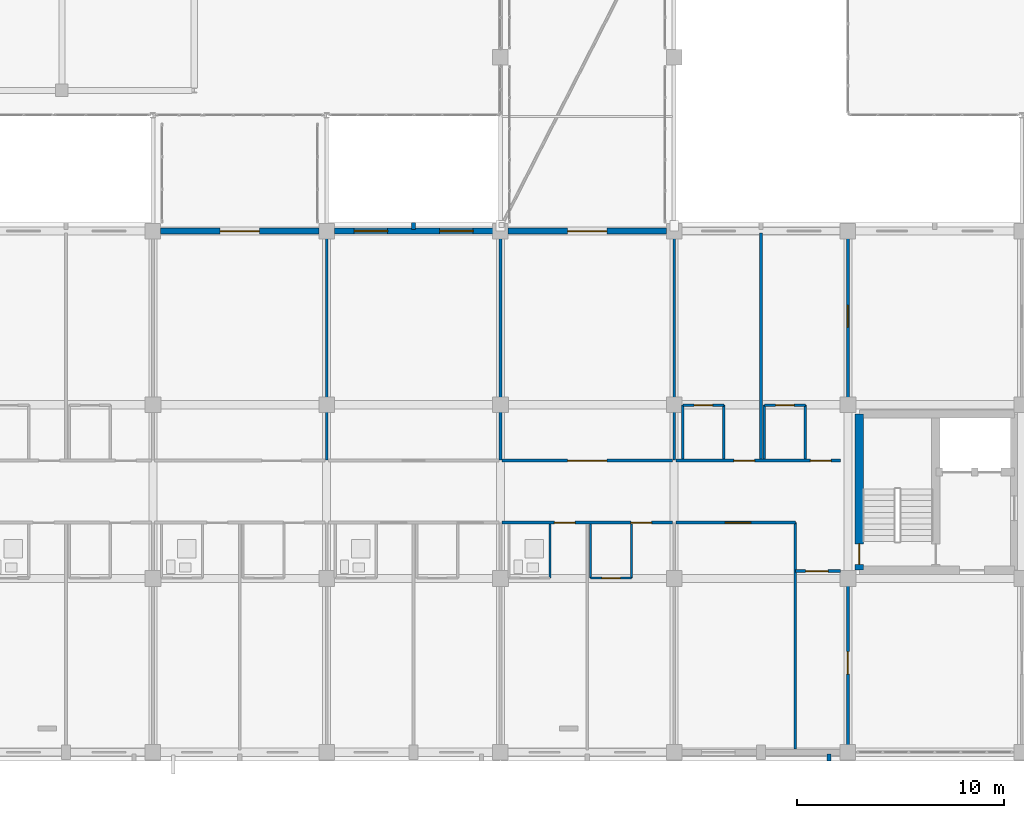
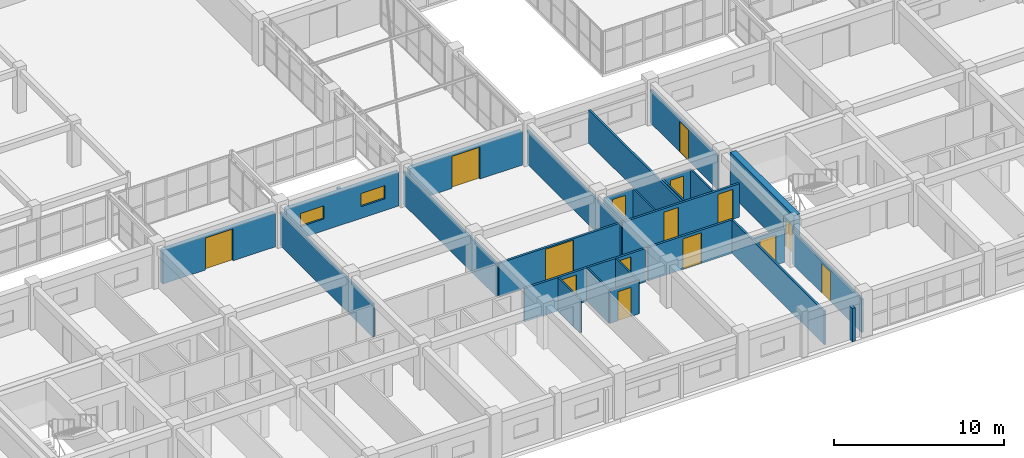
# One storey, part 168 of 200: 28 walls, 15 doors, 2 windows, 17 openings.
"""IFC4 building model written with IfcOpenShell, lengths in metres."""

from ifc_helpers import new_model, si_unit, direction, frame, frame_2d, origin, place, context, subcontext, project, spatial, rectangle, extrude, material, layer, layer_set, type_object, element, fill, save


model = new_model("IFC4")

# Units and contexts
model_context = context("Model", 3, precision=1e-05, world=origin(), true_north=direction((0.0, 1.0)))
body_context = subcontext(model_context, "Body", "Model", "MODEL_VIEW")
ifc_project = project(units=[si_unit("LENGTHUNIT", "METRE"), si_unit("AREAUNIT", "SQUARE_METRE"), si_unit("VOLUMEUNIT", "CUBIC_METRE"), si_unit("PLANEANGLEUNIT", "RADIAN"), si_unit("MASSUNIT", "GRAM", prefix="KILO")], contexts=[model_context])

# Site, building, storey
site_placement = place(None, origin())
site = spatial("IfcSite", under=ifc_project, at=site_placement, CompositionType="ELEMENT")
building_placement = place(site_placement, origin())
building = spatial("IfcBuilding", under=site, at=building_placement, Name="Trelvath General Hospital", CompositionType="ELEMENT")
storey_placement = place(building_placement, frame((0.0, 0.0, 4.800048828125)))
storey = spatial("IfcBuildingStorey", under=building, at=storey_placement, Name="L01", CompositionType="ELEMENT", Elevation=4.800048828125)

# Walls
ifc_material_1 = material(Name="Precast concrete C40/50", Category="concrete")
ifc_layer_1 = layer(ifc_material_1, 0.199951171875)
ifc_layer_set_1 = layer_set([ifc_layer_1], Name="Precast concrete C40/50")
wall_type_1 = type_object("IfcWallType", Name="BriseSoleilRib 200", PredefinedType="ELEMENTEDWALL", material=ifc_layer_set_1)
for number, where, z_axis, x_axis, name in (
    (1, (71.39990234375, 25.27490234375, 0.0), (0.0, 0.0, 1.0), (0.0, 1.0, 0.0), "Precast Concrete Brise-Soleil Rib Fin L01-106"),
    (2, (91.493896484375, -0.074951171875, 0.0), (0.0, 0.0, 1.0), (0.0, -1.0, 0.0), "Precast Concrete Brise-Soleil Rib Fin L01-111"),
):
    element("IfcWall", number, at=place(storey_placement, frame(where, z_axis=z_axis, x_axis=x_axis)), inside=storey, type_object=wall_type_1, Name=name, PredefinedType="ELEMENTEDWALL", context=body_context, shape_type="SweptSolid", body=[
        extrude(rectangle(XDim=0.340087890625, YDim=0.199951171875, at=frame_2d((0.169921875, 0.0))), origin(), (0.0, 0.0, 1.0), 2.39990234375),
    ])

# Wall, openings, doors
ifc_material_2 = material(Name="Gypsum acoustic steel-stud partition", Category="steel")
ifc_layer_2 = layer(ifc_material_2, 0.14990234375)
ifc_layer_set_2 = layer_set([ifc_layer_2], Name="Gypsum acoustic steel-stud partition")
wall_type_2 = type_object("IfcWallType", Name="ClinicalPartition 150", PredefinedType="PARTITIONING", material=ifc_layer_set_2)
wall_1_placement = place(storey_placement, frame((75.679931640625, 11.10009765625, 0.0), z_axis=(0.0, 0.0, 1.0), x_axis=(1.0, 0.0, 0.0)))
wall_1 = element("IfcWall", 3, at=wall_1_placement, inside=storey, type_object=wall_type_2, Name="Corridor Partition L01-430", PredefinedType="PARTITIONING", context=body_context, shape_type="SweptSolid", body=[
    extrude(rectangle(XDim=8.239990234375, YDim=0.14990234375, at=frame_2d((4.1201171875, 0.0))), origin(), (0.0, 0.0, 1.0), 2.39990234375),
])
opening_1_placement = place(wall_1_placement, frame((2.530029296875, 0.0, 0.0)))
opening_1 = element("IfcOpeningElement", 4, at=opening_1_placement, cuts=wall_1, Name="Opening D-1-0499", PredefinedType="OPENING", context=body_context, shape_type="SweptSolid", body=[
    extrude(rectangle(XDim=1.0, YDim=2.14990234375, at=frame_2d((0.5, 1.074951171875))), frame((0.0, 0.0849609375, 0.0), z_axis=(0.0, -1.0, 0.0), x_axis=(1.0, 0.0, 0.0)), (0.0, 0.0, 1.0), 0.169921875),
])
opening_2_placement = place(wall_1_placement, frame((6.22998046875, 0.0, 0.0)))
opening_2 = element("IfcOpeningElement", 5, at=opening_2_placement, cuts=wall_1, Name="Opening D-1-0500", PredefinedType="OPENING", context=body_context, shape_type="SweptSolid", body=[
    extrude(rectangle(XDim=1.0, YDim=2.14990234375, at=frame_2d((0.5, 1.074951171875))), frame((0.0, 0.0849609375, 0.0), z_axis=(0.0, -1.0, 0.0), x_axis=(1.0, 0.0, 0.0)), (0.0, 0.0, 1.0), 0.169921875),
])
ifc_material_3 = material(Name="Acoustic hospital timber leaf", Category="wood")
door_type_1 = type_object("IfcDoorType", Name="Door Consult 1000x2150", OperationType="NOTDEFINED", PredefinedType="DOOR", material=ifc_material_3)
door_1_placement = place(opening_1_placement, origin())
door_1 = element("IfcDoor", 6, at=door_1_placement, inside=storey, type_object=door_type_1, Name="Patient Room Door L01-499", OperationType="SINGLE_SWING_RIGHT", OverallHeight=2.14990234375, OverallWidth=1.0, PredefinedType="DOOR", context=body_context, shape_type="SweptSolid", body=[
    extrude(rectangle(XDim=1.0, YDim=2.14990234375, at=frame_2d((0.5, 1.074951171875))), frame((0.0, 0.02490234375, 0.0), z_axis=(0.0, -1.0, 0.0), x_axis=(1.0, 0.0, 0.0)), (0.0, 0.0, 1.0), 0.050048828125),
])
fill(opening_1, door_1)
door_2_placement = place(opening_2_placement, origin())
door_2 = element("IfcDoor", 7, at=door_2_placement, inside=storey, type_object=door_type_1, Name="Patient Room Door L01-500", OperationType="SINGLE_SWING_LEFT", OverallHeight=2.14990234375, OverallWidth=1.0, PredefinedType="DOOR", context=body_context, shape_type="SweptSolid", body=[
    extrude(rectangle(XDim=1.0, YDim=2.14990234375, at=frame_2d((0.5, 1.074951171875))), frame((0.0, 0.02490234375, 0.0), z_axis=(0.0, -1.0, 0.0), x_axis=(1.0, 0.0, 0.0)), (0.0, 0.0, 1.0), 0.050048828125),
])
fill(opening_2, door_2)

# Wall, opening, door
wall_2_placement = place(storey_placement, frame((83.919921875, 14.10009765625, 0.0), z_axis=(0.0, 0.0, 1.0), x_axis=(-1.0, 0.0, 0.0)))
wall_2 = element("IfcWall", 8, at=wall_2_placement, inside=storey, type_object=wall_type_2, Name="Corridor Partition N L01-439", PredefinedType="PARTITIONING", context=body_context, shape_type="SweptSolid", body=[
    extrude(rectangle(XDim=8.239990234375, YDim=0.14990234375, at=frame_2d((4.1201171875, 0.0))), origin(), (0.0, 0.0, 1.0), 2.39990234375),
])
opening_3_placement = place(wall_2_placement, frame((3.169921875, 0.0, 0.0)))
opening_3 = element("IfcOpeningElement", 9, at=opening_3_placement, cuts=wall_2, Name="Opening D-1-0503", PredefinedType="OPENING", context=body_context, shape_type="SweptSolid", body=[
    extrude(rectangle(XDim=1.89990234375, YDim=2.300048828125, at=frame_2d((0.949951171875, 1.14990234375))), frame((0.0, 0.0849609375, 0.0), z_axis=(0.0, -1.0, 0.0), x_axis=(1.0, 0.0, 0.0)), (0.0, 0.0, 1.0), 0.169921875),
])
ifc_material_4 = material(Name="Thermally broken glazed aluminium pair", Category="aluminium")
door_type_2 = type_object("IfcDoorType", Name="Door BridgeEntry 1900x2400", OperationType="DOUBLE_SWING_LEFT", PredefinedType="DOOR", material=ifc_material_4)
door_3_placement = place(opening_3_placement, origin())
door_3 = element("IfcDoor", 10, at=door_3_placement, inside=storey, type_object=door_type_2, Name="Bridge Lounge Corridor Door N L01-503", OperationType="DOUBLE_SWING_LEFT", OverallHeight=2.300048828125, OverallWidth=1.89990234375, PredefinedType="DOOR", context=body_context, shape_type="SweptSolid", body=[
    extrude(rectangle(XDim=1.89990234375, YDim=2.300048828125, at=frame_2d((0.949951171875, 1.14990234375))), frame((0.0, 0.02490234375, 0.0), z_axis=(0.0, -1.0, 0.0), x_axis=(1.0, 0.0, 0.0)), (0.0, 0.0, 1.0), 0.050048828125),
])
fill(opening_3, door_3)

wall_3_placement = place(storey_placement, frame((84.080078125, 11.10009765625, 0.0), z_axis=(0.0, 0.0, 1.0), x_axis=(1.0, 0.0, 0.0)))
wall_3 = element("IfcWall", 11, at=wall_3_placement, inside=storey, type_object=wall_type_2, Name="Nurse Station Partition L01-442", PredefinedType="PARTITIONING", context=body_context, shape_type="SweptSolid", body=[
    extrude(rectangle(XDim=5.780029296875, YDim=0.14990234375, at=frame_2d((2.89013671875, 0.0))), origin(), (0.0, 0.0, 1.0), 2.39990234375),
])
opening_4_placement = place(wall_3_placement, frame((2.3798828125, 0.0, 0.0)))
opening_4 = element("IfcOpeningElement", 12, at=opening_4_placement, cuts=wall_3, Name="Opening D-1-0504", PredefinedType="OPENING", context=body_context, shape_type="SweptSolid", body=[
    extrude(rectangle(XDim=1.25, YDim=2.199951171875, at=frame_2d((0.625, 1.10009765625))), frame((0.0, 0.0849609375, 0.0), z_axis=(0.0, -1.0, 0.0), x_axis=(1.0, 0.0, 0.0)), (0.0, 0.0, 1.0), 0.169921875),
])
ifc_material_5 = material(Name="Acoustic hospital timber leaf", Category="wood")
door_type_3 = type_object("IfcDoorType", Name="Door Treatment 1250x2200", OperationType="NOTDEFINED", PredefinedType="DOOR", material=ifc_material_5)
door_4_placement = place(opening_4_placement, origin())
door_4 = element("IfcDoor", 13, at=door_4_placement, inside=storey, type_object=door_type_3, Name="Nurse Station Door L01-504", OperationType="SINGLE_SWING_RIGHT", OverallHeight=2.199951171875, OverallWidth=1.25, PredefinedType="DOOR", context=body_context, shape_type="SweptSolid", body=[
    extrude(rectangle(XDim=1.25, YDim=2.199951171875, at=frame_2d((0.625, 1.10009765625))), frame((0.0, 0.02490234375, 0.0), z_axis=(0.0, -1.0, 0.0), x_axis=(1.0, 0.0, 0.0)), (0.0, 0.0, 1.0), 0.050048828125),
])
fill(opening_4, door_4)

wall_4_placement = place(storey_placement, frame((89.860107421875, 8.760009765625, 0.0), z_axis=(0.0, 0.0, 1.0), x_axis=(1.0, 0.0, 0.0)))
wall_4 = element("IfcWall", 14, at=wall_4_placement, inside=storey, type_object=wall_type_2, Name="Clean Utility Partition L01-444", PredefinedType="PARTITIONING", context=body_context, shape_type="SweptSolid", body=[
    extrude(rectangle(XDim=2.179931640625, YDim=0.14990234375, at=frame_2d((1.08984375, 0.0))), origin(), (0.0, 0.0, 1.0), 2.39990234375),
])
opening_5_placement = place(wall_4_placement, frame((0.5, 0.0, 0.0)))
opening_5 = element("IfcOpeningElement", 15, at=opening_5_placement, cuts=wall_4, Name="Opening D-1-0505", PredefinedType="OPENING", context=body_context, shape_type="SweptSolid", body=[
    extrude(rectangle(XDim=1.080078125, YDim=2.14990234375, at=frame_2d((0.5400390625, 1.074951171875))), frame((0.0, 0.0849609375, 0.0), z_axis=(0.0, -1.0, 0.0), x_axis=(1.0, 0.0, 0.0)), (0.0, 0.0, 1.0), 0.169921875),
])
ifc_material_6 = material(Name="Acoustic hospital timber leaf", Category="wood")
door_type_4 = type_object("IfcDoorType", Name="Door CleanSupply 1080x2150", OperationType="NOTDEFINED", PredefinedType="DOOR", material=ifc_material_6)
door_5_placement = place(opening_5_placement, origin())
door_5 = element("IfcDoor", 16, at=door_5_placement, inside=storey, type_object=door_type_4, Name="Clean Utility Door L01-505", OperationType="SINGLE_SWING_LEFT", OverallHeight=2.14990234375, OverallWidth=1.080078125, PredefinedType="DOOR", context=body_context, shape_type="SweptSolid", body=[
    extrude(rectangle(XDim=1.080078125, YDim=2.14990234375, at=frame_2d((0.5400390625, 1.074951171875))), frame((0.0, 0.02490234375, 0.0), z_axis=(0.0, -1.0, 0.0), x_axis=(1.0, 0.0, 0.0)), (0.0, 0.0, 1.0), 0.050048828125),
])
fill(opening_5, door_5)

# Wall, openings, doors
wall_5_placement = place(storey_placement, frame((92.0400390625, 14.10009765625, 0.0), z_axis=(0.0, 0.0, 1.0), x_axis=(-1.0, 0.0, 0.0)))
wall_5 = element("IfcWall", 17, at=wall_5_placement, inside=storey, type_object=wall_type_2, Name="Corridor Partition N L01-445", PredefinedType="PARTITIONING", context=body_context, shape_type="SweptSolid", body=[
    extrude(rectangle(XDim=7.9599609375, YDim=0.14990234375, at=frame_2d((3.97998046875, 0.0))), origin(), (0.0, 0.0, 1.0), 2.39990234375),
])
opening_6_placement = place(wall_5_placement, frame((0.449951171875, 0.0, 0.0)))
opening_6 = element("IfcOpeningElement", 18, at=opening_6_placement, cuts=wall_5, Name="Opening D-1-0506", PredefinedType="OPENING", context=body_context, shape_type="SweptSolid", body=[
    extrude(rectangle(XDim=1.0, YDim=2.14990234375, at=frame_2d((0.5, 1.074951171875))), frame((0.0, 0.0849609375, 0.0), z_axis=(0.0, -1.0, 0.0), x_axis=(1.0, 0.0, 0.0)), (0.0, 0.0, 1.0), 0.169921875),
])
opening_7_placement = place(wall_5_placement, frame((4.14990234375, 0.0, 0.0)))
opening_7 = element("IfcOpeningElement", 19, at=opening_7_placement, cuts=wall_5, Name="Opening D-1-0507", PredefinedType="OPENING", context=body_context, shape_type="SweptSolid", body=[
    extrude(rectangle(XDim=1.0, YDim=2.14990234375, at=frame_2d((0.5, 1.074951171875))), frame((0.0, 0.0849609375, 0.0), z_axis=(0.0, -1.0, 0.0), x_axis=(1.0, 0.0, 0.0)), (0.0, 0.0, 1.0), 0.169921875),
])
door_6_placement = place(opening_6_placement, origin())
door_6 = element("IfcDoor", 20, at=door_6_placement, inside=storey, type_object=door_type_1, Name="Patient Room Door N L01-506", OperationType="SINGLE_SWING_RIGHT", OverallHeight=2.14990234375, OverallWidth=1.0, PredefinedType="DOOR", context=body_context, shape_type="SweptSolid", body=[
    extrude(rectangle(XDim=1.0, YDim=2.14990234375, at=frame_2d((0.5, 1.074951171875))), frame((0.0, 0.02490234375, 0.0), z_axis=(0.0, -1.0, 0.0), x_axis=(1.0, 0.0, 0.0)), (0.0, 0.0, 1.0), 0.050048828125),
])
fill(opening_6, door_6)
door_7_placement = place(opening_7_placement, origin())
door_7 = element("IfcDoor", 21, at=door_7_placement, inside=storey, type_object=door_type_1, Name="Patient Room Door N L01-507", OperationType="SINGLE_SWING_RIGHT", OverallHeight=2.14990234375, OverallWidth=1.0, PredefinedType="DOOR", context=body_context, shape_type="SweptSolid", body=[
    extrude(rectangle(XDim=1.0, YDim=2.14990234375, at=frame_2d((0.5, 1.074951171875))), frame((0.0, 0.02490234375, 0.0), z_axis=(0.0, -1.0, 0.0), x_axis=(1.0, 0.0, 0.0)), (0.0, 0.0, 1.0), 0.050048828125),
])
fill(opening_7, door_7)

# Wall, opening, door
ifc_material_7 = material(Name="Concrete C40/50", Category="concrete")
ifc_layer_3 = layer(ifc_material_7, 0.39990234375)
ifc_layer_set_3 = layer_set([ifc_layer_3], Name="Concrete C40/50")
wall_type_3 = type_object("IfcWallType", Name="CoreShearWall 400", PredefinedType="SHEAR", material=ifc_layer_set_3)
wall_6_placement = place(storey_placement, frame((92.949951171875, 8.800048828125, 0.0), z_axis=(0.0, 0.0, 1.0), x_axis=(0.0, 1.0, 0.0)))
wall_6 = element("IfcWall", 22, at=wall_6_placement, inside=storey, type_object=wall_type_3, Name="Core Shear Wall C5 W L01", PredefinedType="SHEAR", context=body_context, shape_type="SweptSolid", body=[
    extrude(rectangle(XDim=7.550048828125, YDim=0.39990234375, at=frame_2d((3.77490234375, 0.0))), origin(), (0.0, 0.0, 1.0), 3.02001953125),
])
opening_8_placement = place(wall_6_placement, frame((0.280029296875, 0.0, 0.0)))
opening_8 = element("IfcOpeningElement", 23, at=opening_8_placement, cuts=wall_6, Name="Opening FD-SW51", PredefinedType="OPENING", context=body_context, shape_type="SweptSolid", body=[
    extrude(rectangle(XDim=1.0, YDim=2.14990234375, at=frame_2d((0.5, 1.074951171875))), frame((0.0, 0.2099609375, 0.0), z_axis=(0.0, -1.0, 0.0), x_axis=(1.0, 0.0, 0.0)), (0.0, 0.0, 1.0), 0.419921875),
])
ifc_material_8 = material(Name="Fire-rated steel door", Category="steel")
door_type_5 = type_object("IfcDoorType", Name="Door FireStair 1100x2150", OperationType="NOTDEFINED", PredefinedType="DOOR", material=ifc_material_8)
door_8_placement = place(opening_8_placement, origin())
door_8 = element("IfcDoor", 24, at=door_8_placement, inside=storey, type_object=door_type_5, Name="West Corridor Stair Door ST5 L01", OperationType="SINGLE_SWING_RIGHT", OverallHeight=2.14990234375, OverallWidth=1.0, PredefinedType="DOOR", context=body_context, shape_type="SweptSolid", body=[
    extrude(rectangle(XDim=1.0, YDim=2.14990234375, at=frame_2d((0.5, 1.074951171875))), frame((0.0, 0.02490234375, 0.0), z_axis=(0.0, -1.0, 0.0), x_axis=(1.0, 0.0, 0.0)), (0.0, 0.0, 1.0), 0.050048828125),
])
fill(opening_8, door_8)

# Walls
ifc_material_9 = material(Name="Moisture-resistant tile partition")
ifc_layer_4 = layer(ifc_material_9, 0.110107421875)
ifc_layer_set_4 = layer_set([ifc_layer_4], Name="Moisture-resistant tile partition")
wall_type_4 = type_object("IfcWallType", Name="EnSuiteWetWall 110", PredefinedType="PARTITIONING", material=ifc_layer_set_4)
for number, where, z_axis, x_axis, name in (
    (25, (78.0, 8.419921875, 0.0), (0.0, 0.0, 1.0), (0.0, 1.0, 0.0), "En-Suite E Wall L01-433"),
    (26, (79.9599609375, 8.419921875, 0.0), (0.0, 0.0, 1.0), (0.0, 1.0, 0.0), "En-Suite W Wall L01-435"),
    (27, (81.93994140625, 8.419921875, 0.0), (0.0, 0.0, 1.0), (0.0, 1.0, 0.0), "En-Suite E Wall L01-436"),
):
    element("IfcWall", number, at=place(storey_placement, frame(where, z_axis=z_axis, x_axis=x_axis)), inside=storey, type_object=wall_type_4, Name=name, PredefinedType="PARTITIONING", context=body_context, shape_type="SweptSolid", body=[
        extrude(rectangle(XDim=2.610107421875, YDim=0.110107421875, at=frame_2d((1.30517578125, 0.0))), origin(), (0.0, 0.0, 1.0), 2.39990234375),
    ])

# Wall, opening, door
wall_7_placement = place(storey_placement, frame((79.9599609375, 8.419921875, 0.0), z_axis=(0.0, 0.0, 1.0), x_axis=(1.0, 0.0, 0.0)))
wall_7 = element("IfcWall", 28, at=wall_7_placement, inside=storey, type_object=wall_type_4, Name="En-Suite Bathroom Partition L01-437", PredefinedType="PARTITIONING", context=body_context, shape_type="SweptSolid", body=[
    extrude(rectangle(XDim=1.97998046875, YDim=0.110107421875, at=frame_2d((0.989990234375, 0.0))), origin(), (0.0, 0.0, 1.0), 2.39990234375),
])
opening_9_placement = place(wall_7_placement, frame((0.5400390625, 0.0, 0.0)))
opening_9 = element("IfcOpeningElement", 29, at=opening_9_placement, cuts=wall_7, Name="Opening D-1-0502", PredefinedType="OPENING", context=body_context, shape_type="SweptSolid", body=[
    extrude(rectangle(XDim=0.89990234375, YDim=2.10009765625, at=frame_2d((0.449951171875, 1.050048828125))), frame((0.0, 0.06494140625, 0.0), z_axis=(0.0, -1.0, 0.0), x_axis=(1.0, 0.0, 0.0)), (0.0, 0.0, 1.0), 0.130126953125),
])
ifc_material_10 = material(Name="Moisture-sealed timber leaf", Category="wood")
door_type_6 = type_object("IfcDoorType", Name="Door EnSuite 900x2100", OperationType="NOTDEFINED", PredefinedType="DOOR", material=ifc_material_10)
door_9_placement = place(opening_9_placement, origin())
door_9 = element("IfcDoor", 30, at=door_9_placement, inside=storey, type_object=door_type_6, Name="En-Suite Bathroom Door L01-502", OperationType="SINGLE_SWING_LEFT", OverallHeight=2.10009765625, OverallWidth=0.89990234375, PredefinedType="DOOR", context=body_context, shape_type="SweptSolid", body=[
    extrude(rectangle(XDim=0.89990234375, YDim=2.10009765625, at=frame_2d((0.449951171875, 1.050048828125))), frame((0.0, 0.02490234375, 0.0), z_axis=(0.0, -1.0, 0.0), x_axis=(1.0, 0.0, 0.0)), (0.0, 0.0, 1.0), 0.050048828125),
])
fill(opening_9, door_9)

# Walls
for number, where, z_axis, x_axis, name in (
    (31, (84.419921875, 14.169921875, 0.0), (0.0, 0.0, 1.0), (0.0, 1.0, 0.0), "En-Suite W Wall N L01-447"),
    (32, (86.39990234375, 14.169921875, 0.0), (0.0, 0.0, 1.0), (0.0, 1.0, 0.0), "En-Suite E Wall N L01-448"),
):
    element("IfcWall", number, at=place(storey_placement, frame(where, z_axis=z_axis, x_axis=x_axis)), inside=storey, type_object=wall_type_4, Name=name, PredefinedType="PARTITIONING", context=body_context, shape_type="SweptSolid", body=[
        extrude(rectangle(XDim=2.610107421875, YDim=0.110107421875, at=frame_2d((1.30517578125, 0.0))), origin(), (0.0, 0.0, 1.0), 2.39990234375),
    ])

# Wall, opening, door
wall_8_placement = place(storey_placement, frame((84.419921875, 16.780029296875, 0.0), z_axis=(0.0, 0.0, 1.0), x_axis=(1.0, 0.0, 0.0)))
wall_8 = element("IfcWall", 33, at=wall_8_placement, inside=storey, type_object=wall_type_4, Name="En-Suite Bathroom N Partition L01-449", PredefinedType="PARTITIONING", context=body_context, shape_type="SweptSolid", body=[
    extrude(rectangle(XDim=1.97998046875, YDim=0.110107421875, at=frame_2d((0.989990234375, 0.0))), origin(), (0.0, 0.0, 1.0), 2.39990234375),
])
opening_10_placement = place(wall_8_placement, frame((0.5400390625, 0.0, 0.0)))
opening_10 = element("IfcOpeningElement", 34, at=opening_10_placement, cuts=wall_8, Name="Opening D-1-0508", PredefinedType="OPENING", context=body_context, shape_type="SweptSolid", body=[
    extrude(rectangle(XDim=0.89990234375, YDim=2.10009765625, at=frame_2d((0.449951171875, 1.050048828125))), frame((0.0, 0.06494140625, 0.0), z_axis=(0.0, -1.0, 0.0), x_axis=(1.0, 0.0, 0.0)), (0.0, 0.0, 1.0), 0.130126953125),
])
door_10_placement = place(opening_10_placement, origin())
door_10 = element("IfcDoor", 35, at=door_10_placement, inside=storey, type_object=door_type_6, Name="En-Suite Bathroom N Door L01-508", OperationType="SINGLE_SWING_LEFT", OverallHeight=2.10009765625, OverallWidth=0.89990234375, PredefinedType="DOOR", context=body_context, shape_type="SweptSolid", body=[
    extrude(rectangle(XDim=0.89990234375, YDim=2.10009765625, at=frame_2d((0.449951171875, 1.050048828125))), frame((0.0, 0.02490234375, 0.0), z_axis=(0.0, -1.0, 0.0), x_axis=(1.0, 0.0, 0.0)), (0.0, 0.0, 1.0), 0.050048828125),
])
fill(opening_10, door_10)

# Walls
for number, where, z_axis, x_axis, name in (
    (36, (88.360107421875, 14.169921875, 0.0), (0.0, 0.0, 1.0), (0.0, 1.0, 0.0), "En-Suite W Wall N L01-450"),
    (37, (90.340087890625, 14.169921875, 0.0), (0.0, 0.0, 1.0), (0.0, 1.0, 0.0), "En-Suite E Wall N L01-451"),
):
    element("IfcWall", number, at=place(storey_placement, frame(where, z_axis=z_axis, x_axis=x_axis)), inside=storey, type_object=wall_type_4, Name=name, PredefinedType="PARTITIONING", context=body_context, shape_type="SweptSolid", body=[
        extrude(rectangle(XDim=2.610107421875, YDim=0.110107421875, at=frame_2d((1.30517578125, 0.0))), origin(), (0.0, 0.0, 1.0), 2.39990234375),
    ])

# Wall, opening, door
wall_9_placement = place(storey_placement, frame((88.360107421875, 16.780029296875, 0.0), z_axis=(0.0, 0.0, 1.0), x_axis=(1.0, 0.0, 0.0)))
wall_9 = element("IfcWall", 38, at=wall_9_placement, inside=storey, type_object=wall_type_4, Name="En-Suite Bathroom N Partition L01-452", PredefinedType="PARTITIONING", context=body_context, shape_type="SweptSolid", body=[
    extrude(rectangle(XDim=1.97998046875, YDim=0.110107421875, at=frame_2d((0.989990234375, 0.0))), origin(), (0.0, 0.0, 1.0), 2.39990234375),
])
opening_11_placement = place(wall_9_placement, frame((0.5400390625, 0.0, 0.0)))
opening_11 = element("IfcOpeningElement", 39, at=opening_11_placement, cuts=wall_9, Name="Opening D-1-0509", PredefinedType="OPENING", context=body_context, shape_type="SweptSolid", body=[
    extrude(rectangle(XDim=0.89990234375, YDim=2.10009765625, at=frame_2d((0.449951171875, 1.050048828125))), frame((0.0, 0.06494140625, 0.0), z_axis=(0.0, -1.0, 0.0), x_axis=(1.0, 0.0, 0.0)), (0.0, 0.0, 1.0), 0.130126953125),
])
door_11_placement = place(opening_11_placement, origin())
door_11 = element("IfcDoor", 40, at=door_11_placement, inside=storey, type_object=door_type_6, Name="En-Suite Bathroom N Door L01-509", OperationType="SINGLE_SWING_RIGHT", OverallHeight=2.10009765625, OverallWidth=0.89990234375, PredefinedType="DOOR", context=body_context, shape_type="SweptSolid", body=[
    extrude(rectangle(XDim=0.89990234375, YDim=2.10009765625, at=frame_2d((0.449951171875, 1.050048828125))), frame((0.0, 0.02490234375, 0.0), z_axis=(0.0, -1.0, 0.0), x_axis=(1.0, 0.0, 0.0)), (0.0, 0.0, 1.0), 0.050048828125),
])
fill(opening_11, door_11)

ifc_material_11 = material(Name="Concrete C35/45", Category="concrete")
ifc_layer_5 = layer(ifc_material_11, 0.2900390625)
ifc_layer_set_5 = layer_set([ifc_layer_5], Name="Concrete C35/45")
wall_type_5 = type_object("IfcWallType", Name="ExtBushHammeredWall 290", PredefinedType="SOLIDWALL", material=ifc_layer_set_5)
wall_10_placement = place(storey_placement, frame((59.169921875, 25.199951171875, 0.0), z_axis=(0.0, 0.0, 1.0), x_axis=(1.0, 0.0, 0.0)))
wall_10 = element("IfcWall", 41, at=wall_10_placement, inside=storey, type_object=wall_type_5, Name="Bridge Portal Wall BRG-S-W L01", PredefinedType="SOLIDWALL", context=body_context, shape_type="SweptSolid", body=[
    extrude(rectangle(XDim=7.66015625, YDim=0.2900390625, at=frame_2d((3.830078125, 0.0))), origin(), (0.0, 0.0, 1.0), 2.419921875),
])
opening_12_placement = place(wall_10_placement, frame((2.8798828125, 0.0, 0.0)))
opening_12 = element("IfcOpeningElement", 42, at=opening_12_placement, cuts=wall_10, Name="Opening BP-1-032", PredefinedType="OPENING", context=body_context, shape_type="SweptSolid", body=[
    extrude(rectangle(XDim=1.89990234375, YDim=2.300048828125, at=frame_2d((0.949951171875, 1.14990234375))), frame((0.0, 0.155029296875, 0.0), z_axis=(0.0, -1.0, 0.0), x_axis=(1.0, 0.0, 0.0)), (0.0, 0.0, 1.0), 0.31005859375),
])
door_12_placement = place(opening_12_placement, origin())
door_12 = element("IfcDoor", 43, at=door_12_placement, inside=storey, type_object=door_type_2, Name="Glazed Bridge Portal Door BRG-S-W L01", OperationType="DOUBLE_SWING_LEFT", OverallHeight=2.300048828125, OverallWidth=1.89990234375, PredefinedType="DOOR", context=body_context, shape_type="SweptSolid", body=[
    extrude(rectangle(XDim=1.89990234375, YDim=2.300048828125, at=frame_2d((0.949951171875, 1.14990234375))), frame((0.0, 0.02490234375, 0.0), z_axis=(0.0, -1.0, 0.0), x_axis=(1.0, 0.0, 0.0)), (0.0, 0.0, 1.0), 0.050048828125),
])
fill(opening_12, door_12)

# Wall, openings, windows
wall_11_placement = place(storey_placement, frame((67.570068359375, 25.199951171875, 0.0), z_axis=(0.0, 0.0, 1.0), x_axis=(1.0, 0.0, 0.0)))
wall_11 = element("IfcWall", 44, at=wall_11_placement, inside=storey, type_object=wall_type_5, Name="Exterior Concrete Wall L01-151", PredefinedType="SOLIDWALL", context=body_context, shape_type="SweptSolid", body=[
    extrude(rectangle(XDim=7.659912109375, YDim=0.2900390625, at=frame_2d((3.830078125, 0.0))), origin(), (0.0, 0.0, 1.0), 2.419921875),
])
opening_13_placement = place(wall_11_placement, frame((0.951904296875, 0.0, 0.85009765625)))
opening_13 = element("IfcOpeningElement", 45, at=opening_13_placement, cuts=wall_11, Name="Opening WN-1-227", PredefinedType="OPENING", context=body_context, shape_type="SweptSolid", body=[
    extrude(rectangle(XDim=1.6201171875, YDim=0.949951171875, at=frame_2d((0.81005859375, 0.47509765625))), frame((0.0, 0.155029296875, 0.0), z_axis=(0.0, -1.0, 0.0), x_axis=(1.0, 0.0, 0.0)), (0.0, 0.0, 1.0), 0.31005859375),
])
opening_14_placement = place(wall_11_placement, frame((5.088134765625, 0.0, 0.85009765625)))
opening_14 = element("IfcOpeningElement", 46, at=opening_14_placement, cuts=wall_11, Name="Opening WN-1-228", PredefinedType="OPENING", context=body_context, shape_type="SweptSolid", body=[
    extrude(rectangle(XDim=1.6201171875, YDim=0.949951171875, at=frame_2d((0.81005859375, 0.47509765625))), frame((0.0, 0.155029296875, 0.0), z_axis=(0.0, -1.0, 0.0), x_axis=(1.0, 0.0, 0.0)), (0.0, 0.0, 1.0), 0.31005859375),
])
ifc_material_12 = material(Name="Low-E laminated glass", Category="glass")
window_type = type_object("IfcWindowType", Name="Window EmergencyClere 1620x950", PartitioningType="DOUBLE_PANEL_VERTICAL", PredefinedType="WINDOW", material=ifc_material_12)
window_1_placement = place(opening_13_placement, origin())
window_1 = element("IfcWindow", 47, at=window_1_placement, inside=storey, type_object=window_type, Name="Solar Reveal Window L01-227", OverallHeight=0.949951171875, OverallWidth=1.6201171875, PartitioningType="SINGLE_PANEL", PredefinedType="WINDOW", context=body_context, shape_type="SweptSolid", body=[
    extrude(rectangle(XDim=1.6201171875, YDim=0.949951171875, at=frame_2d((0.81005859375, 0.47509765625))), frame((0.0, 0.030029296875, 0.0), z_axis=(0.0, -1.0, 0.0), x_axis=(1.0, 0.0, 0.0)), (0.0, 0.0, 1.0), 0.06005859375),
])
fill(opening_13, window_1)
window_2_placement = place(opening_14_placement, origin())
window_2 = element("IfcWindow", 48, at=window_2_placement, inside=storey, type_object=window_type, Name="Solar Reveal Window L01-228", OverallHeight=0.949951171875, OverallWidth=1.6201171875, PartitioningType="SINGLE_PANEL", PredefinedType="WINDOW", context=body_context, shape_type="SweptSolid", body=[
    extrude(rectangle(XDim=1.6201171875, YDim=0.949951171875, at=frame_2d((0.81005859375, 0.47509765625))), frame((0.0, 0.030029296875, 0.0), z_axis=(0.0, -1.0, 0.0), x_axis=(1.0, 0.0, 0.0)), (0.0, 0.0, 1.0), 0.06005859375),
])
fill(opening_14, window_2)

# Wall, opening, door
wall_12_placement = place(storey_placement, frame((75.969970703125, 25.199951171875, 0.0), z_axis=(0.0, 0.0, 1.0), x_axis=(1.0, 0.0, 0.0)))
wall_12 = element("IfcWall", 49, at=wall_12_placement, inside=storey, type_object=wall_type_5, Name="Bridge Portal Wall BRG-S-C L01", PredefinedType="SOLIDWALL", context=body_context, shape_type="SweptSolid", body=[
    extrude(rectangle(XDim=7.659912109375, YDim=0.2900390625, at=frame_2d((3.830078125, 0.0))), origin(), (0.0, 0.0, 1.0), 2.419921875),
])
opening_15_placement = place(wall_12_placement, frame((2.8798828125, 0.0, 0.0)))
opening_15 = element("IfcOpeningElement", 50, at=opening_15_placement, cuts=wall_12, Name="Opening BP-1-034", PredefinedType="OPENING", context=body_context, shape_type="SweptSolid", body=[
    extrude(rectangle(XDim=1.89990234375, YDim=2.300048828125, at=frame_2d((0.949951171875, 1.14990234375))), frame((0.0, 0.155029296875, 0.0), z_axis=(0.0, -1.0, 0.0), x_axis=(1.0, 0.0, 0.0)), (0.0, 0.0, 1.0), 0.31005859375),
])
door_13_placement = place(opening_15_placement, origin())
door_13 = element("IfcDoor", 51, at=door_13_placement, inside=storey, type_object=door_type_2, Name="Glazed Bridge Portal Door BRG-S-C L01", OperationType="DOUBLE_SWING_LEFT", OverallHeight=2.300048828125, OverallWidth=1.89990234375, PredefinedType="DOOR", context=body_context, shape_type="SweptSolid", body=[
    extrude(rectangle(XDim=1.89990234375, YDim=2.300048828125, at=frame_2d((0.949951171875, 1.14990234375))), frame((0.0, 0.02490234375, 0.0), z_axis=(0.0, -1.0, 0.0), x_axis=(1.0, 0.0, 0.0)), (0.0, 0.0, 1.0), 0.050048828125),
])
fill(opening_15, door_13)

# Walls
ifc_material_13 = material(Name="Gypsum acoustic steel-stud partition", Category="steel")
ifc_layer_6 = layer(ifc_material_13, 0.1298828125)
ifc_layer_set_6 = layer_set([ifc_layer_6], Name="Gypsum acoustic steel-stud partition")
wall_type_6 = type_object("IfcWallType", Name="WardPartition 130", PredefinedType="PARTITIONING", material=ifc_layer_set_6)
for number, where, z_axis, x_axis, name in (
    (52, (67.199951171875, 14.1201171875, 0.0), (0.0, 0.0, 1.0), (0.0, 1.0, 0.0), "Inter-Bay Ward Partition N L01-418"),
    (53, (75.60009765625, 14.1201171875, 0.0), (0.0, 0.0, 1.0), (0.0, 1.0, 0.0), "Inter-Bay Ward Partition N L01-429"),
    (54, (84.0, 14.1201171875, 0.0), (0.0, 0.0, 1.0), (0.0, 1.0, 0.0), "Inter-Bay Ward Partition N L01-441"),
):
    element("IfcWall", number, at=place(storey_placement, frame(where, z_axis=z_axis, x_axis=x_axis)), inside=storey, type_object=wall_type_6, Name=name, PredefinedType="PARTITIONING", context=body_context, shape_type="SweptSolid", body=[
        extrude(rectangle(XDim=10.93994140625, YDim=0.1298828125, at=frame_2d((5.469970703125, 0.0))), origin(), (0.0, 0.0, 1.0), 2.39990234375),
    ])
wall_13_placement = place(storey_placement, frame((89.860107421875, 0.159912109375, 0.0), z_axis=(0.0, 0.0, 1.0), x_axis=(0.0, 1.0, 0.0)))
element("IfcWall", 55, at=wall_13_placement, inside=storey, type_object=wall_type_6, Name="Nurse Alcove Partition L01-443", PredefinedType="PARTITIONING", context=body_context, shape_type="SweptSolid", body=[
    extrude(rectangle(XDim=10.940185546875, YDim=0.1298828125, at=frame_2d((5.47021484375, 0.0))), origin(), (0.0, 0.0, 1.0), 2.39990234375),
])
wall_14_placement = place(storey_placement, frame((88.199951171875, 14.169921875, 0.0), z_axis=(0.0, 0.0, 1.0), x_axis=(0.0, 1.0, 0.0)))
element("IfcWall", 56, at=wall_14_placement, inside=storey, type_object=wall_type_6, Name="Room Dividing Partition N L01-446", PredefinedType="PARTITIONING", context=body_context, shape_type="SweptSolid", body=[
    extrude(rectangle(XDim=10.93017578125, YDim=0.1298828125, at=frame_2d((5.465087890625, 0.0))), origin(), (0.0, 0.0, 1.0), 2.39990234375),
])

# Wall, opening, door
wall_15_placement = place(storey_placement, frame((92.39990234375, 0.139892578125, 0.0), z_axis=(0.0, 0.0, 1.0), x_axis=(0.0, 1.0, 0.0)))
wall_15 = element("IfcWall", 57, at=wall_15_placement, inside=storey, type_object=wall_type_6, Name="Inter-Bay Ward Partition S L01-453", PredefinedType="PARTITIONING", context=body_context, shape_type="SweptSolid", body=[
    extrude(rectangle(XDim=8.210205078125, YDim=0.1298828125, at=frame_2d((4.10498046875, 0.0))), origin(), (0.0, 0.0, 1.0), 2.39990234375),
])
opening_16_placement = place(wall_15_placement, frame((3.639892578125, 0.0, 0.0)))
opening_16 = element("IfcOpeningElement", 58, at=opening_16_placement, cuts=wall_15, Name="Opening D-1-0510", PredefinedType="OPENING", context=body_context, shape_type="SweptSolid", body=[
    extrude(rectangle(XDim=1.080078125, YDim=2.14990234375, at=frame_2d((0.5400390625, 1.074951171875))), frame((0.0, 0.074951171875, 0.0), z_axis=(0.0, -1.0, 0.0), x_axis=(1.0, 0.0, 0.0)), (0.0, 0.0, 1.0), 0.14990234375),
])
door_14_placement = place(opening_16_placement, origin())
door_14 = element("IfcDoor", 59, at=door_14_placement, inside=storey, type_object=door_type_4, Name="Clean Supply Connecting Door L01-510", OperationType="SINGLE_SWING_LEFT", OverallHeight=2.14990234375, OverallWidth=1.080078125, PredefinedType="DOOR", context=body_context, shape_type="SweptSolid", body=[
    extrude(rectangle(XDim=1.080078125, YDim=2.14990234375, at=frame_2d((0.5400390625, 1.074951171875))), frame((0.0, 0.02490234375, 0.0), z_axis=(0.0, -1.0, 0.0), x_axis=(1.0, 0.0, 0.0)), (0.0, 0.0, 1.0), 0.050048828125),
])
fill(opening_16, door_14)

wall_16_placement = place(storey_placement, frame((92.39990234375, 17.14990234375, 0.0), z_axis=(0.0, 0.0, 1.0), x_axis=(0.0, 1.0, 0.0)))
wall_16 = element("IfcWall", 60, at=wall_16_placement, inside=storey, type_object=wall_type_6, Name="Inter-Bay Ward Partition N L01-454", PredefinedType="PARTITIONING", context=body_context, shape_type="SweptSolid", body=[
    extrude(rectangle(XDim=7.91015625, YDim=0.1298828125, at=frame_2d((3.955078125, 0.0))), origin(), (0.0, 0.0, 1.0), 2.39990234375),
])
opening_17_placement = place(wall_16_placement, frame((3.39990234375, 0.0, 0.0)))
opening_17 = element("IfcOpeningElement", 61, at=opening_17_placement, cuts=wall_16, Name="Opening D-1-0511", PredefinedType="OPENING", context=body_context, shape_type="SweptSolid", body=[
    extrude(rectangle(XDim=1.050048828125, YDim=2.199951171875, at=frame_2d((0.52490234375, 1.10009765625))), frame((0.0, 0.074951171875, 0.0), z_axis=(0.0, -1.0, 0.0), x_axis=(1.0, 0.0, 0.0)), (0.0, 0.0, 1.0), 0.14990234375),
])
ifc_material_14 = material(Name="Acoustic hospital timber leaf", Category="wood")
door_type_7 = type_object("IfcDoorType", Name="Door Consult 1050x2200", OperationType="NOTDEFINED", PredefinedType="DOOR", material=ifc_material_14)
door_15_placement = place(opening_17_placement, origin())
door_15 = element("IfcDoor", 62, at=door_15_placement, inside=storey, type_object=door_type_7, Name="Consultation Connecting Door L01-511", OperationType="SINGLE_SWING_RIGHT", OverallHeight=2.199951171875, OverallWidth=1.050048828125, PredefinedType="DOOR", context=body_context, shape_type="SweptSolid", body=[
    extrude(rectangle(XDim=1.050048828125, YDim=2.199951171875, at=frame_2d((0.52490234375, 1.10009765625))), frame((0.0, 0.02490234375, 0.0), z_axis=(0.0, -1.0, 0.0), x_axis=(1.0, 0.0, 0.0)), (0.0, 0.0, 1.0), 0.050048828125),
])
fill(opening_17, door_15)

save(model, "model.ifc")
